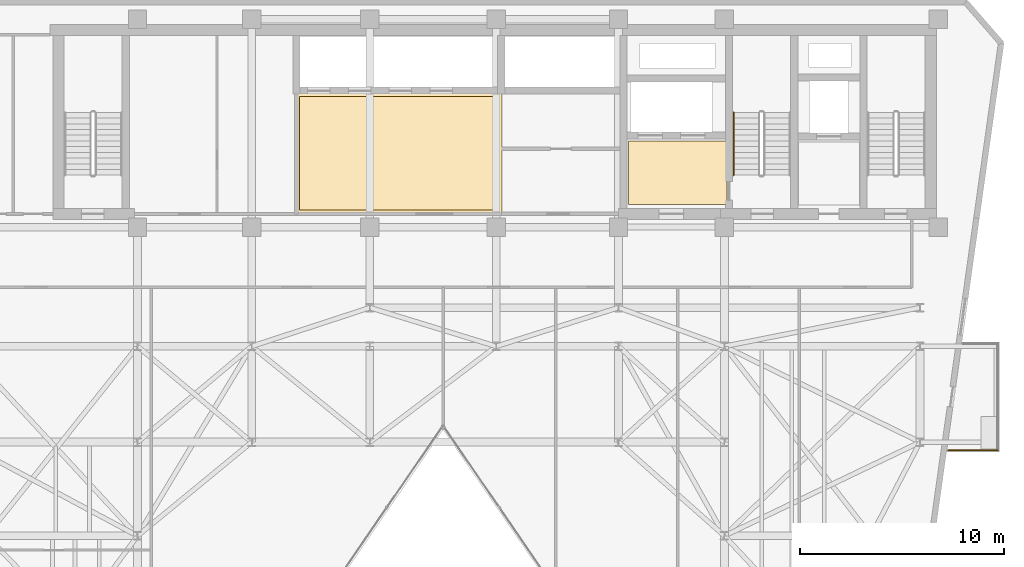
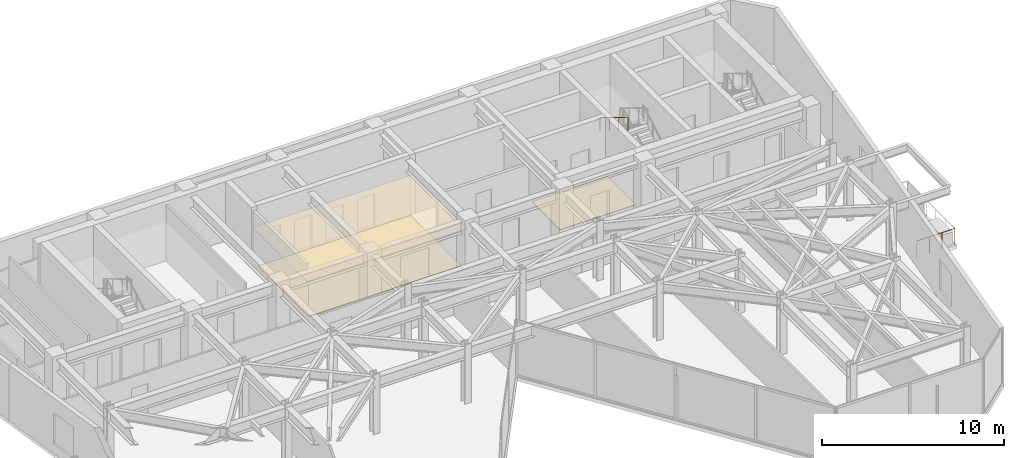
# One storey, part 20 of 21: 3 coverings, 2 railings.
"""IFC4 building model written with IfcOpenShell, lengths in metres."""

from ifc_helpers import new_model, si_unit, direction, frame, origin, origin_2d, place, context, subcontext, project, spatial, polyline, circle, outline, extrude, material, layer, layer_set, type_object, element, save


model = new_model("IFC4")

# Units and contexts
model_context = context("Model", 3, precision=1e-05, world=origin(), true_north=direction((0.0, 1.0)))
body_context = subcontext(model_context, "Body", "Model", "MODEL_VIEW")
ifc_project = project(units=[si_unit("LENGTHUNIT", "METRE"), si_unit("AREAUNIT", "SQUARE_METRE"), si_unit("VOLUMEUNIT", "CUBIC_METRE"), si_unit("PLANEANGLEUNIT", "RADIAN"), si_unit("MASSUNIT", "GRAM", prefix="KILO")], contexts=[model_context])

# Site, building, storey
site_placement = place(None, origin())
site = spatial("IfcSite", under=ifc_project, at=site_placement, CompositionType="ELEMENT")
building_placement = place(site_placement, origin())
building = spatial("IfcBuilding", under=site, at=building_placement, Name="Kravanh Interchange Tower", CompositionType="ELEMENT")
storey_placement = place(building_placement, frame((0.0, 0.0, 176.5)))
storey = spatial("IfcBuildingStorey", under=building, at=storey_placement, Name="L42", CompositionType="ELEMENT", Elevation=176.5)

# Coverings
ifc_material_1 = material(Name="Cementitious Terrazzo Tile")
ifc_layer_1 = layer(ifc_material_1, 0.030029296875)
ifc_layer_set_1 = layer_set([ifc_layer_1], Name="Honed Terrazzo Lobby Flooring 30mm")
covering_type_1 = type_object("IfcCoveringType", Name="Honed Terrazzo Lobby Flooring 30mm", PredefinedType="FLOORING", material=ifc_layer_set_1)
covering_1_placement = place(storey_placement, origin())
element("IfcCovering", 1, at=covering_1_placement, inside=storey, type_object=covering_type_1, Name="L42 Firefighting Lobby Floor Finish", PredefinedType="FLOORING", context=body_context, shape_type="SweptSolid", body=[
    extrude(outline(polyline([(56.1201171875, 38.4599609375), (51.300048828125, 38.4599609375), (51.300048828125, 41.580078125), (56.1201171875, 41.580078125), (56.1201171875, 38.4599609375)])), origin(), (0.0, 0.0, 1.0), 0.030029296875),
])
covering_2_placement = place(storey_placement, origin())
element("IfcCovering", 2, at=covering_2_placement, inside=storey, type_object=covering_type_1, Name="L42 Mid-Rise Lift Lobby Floor Finish", PredefinedType="FLOORING", context=body_context, shape_type="SweptSolid", body=[
    extrude(outline(polyline([(35.159912109375, 43.77001953125), (44.8701171875, 43.77001953125), (44.8701171875, 38.179931640625), (35.159912109375, 38.179931640625), (35.159912109375, 43.77001953125)])), origin(), (0.0, 0.0, 1.0), 0.030029296875),
])
ifc_material_2 = material(Name="Acoustic Mineral Fibre Tile on Aluminium Grid", Category="aluminium")
ifc_layer_2 = layer(ifc_material_2, 0.02490234375)
ifc_layer_set_2 = layer_set([ifc_layer_2], Name="Perforated Acoustic Mineral Ceiling 25mm")
covering_type_2 = type_object("IfcCoveringType", Name="Perforated Acoustic Mineral Ceiling 25mm", PredefinedType="CEILING", material=ifc_layer_set_2)
covering_3_placement = place(storey_placement, frame((0.0, 0.0, 2.550048828125)))
element("IfcCovering", 3, at=covering_3_placement, inside=storey, type_object=covering_type_2, Name="L42 Mid-Rise Lift Lobby Suspended Ceiling", PredefinedType="CEILING", context=body_context, shape_type="SweptSolid", body=[
    extrude(outline(polyline([(45.090087890625, 37.9599609375), (34.93994140625, 37.9599609375), (34.93994140625, 43.989990234375), (45.090087890625, 43.989990234375), (45.090087890625, 37.9599609375)])), origin(), (0.0, 0.0, 1.0), 0.02490234375),
])

# Railings
ifc_material_3 = material(Name="Stainless Steel 316", Category="steel")
ifc_layer_3 = layer(ifc_material_3, 0.06005859375)
ifc_layer_set_3 = layer_set([ifc_layer_3], Name="Perimeter Balcony and Terrace Guardrail Stainless 316 1120mm")
railing_type_1 = type_object("IfcRailingType", Name="Perimeter Balcony and Terrace Guardrail Stainless 316 1120mm", PredefinedType="GUARDRAIL", material=ifc_layer_set_3)
railing_1_placement = place(storey_placement, frame((69.409912109375, 26.389892578125, 0.0)))
element("IfcRailing", 4, at=railing_1_placement, inside=storey, type_object=railing_type_1, Name="L42 E Balcony Guardrail 2", PredefinedType="GUARDRAIL", context=body_context, shape_type="SweptSolid", body=[
    extrude(circle(Radius=0.02392578125, at=origin_2d()), frame((0.0, 0.0, 1.09619140625), z_axis=(-1.0, 0.0, 0.0), x_axis=(0.0, -1.0, 0.0)), (0.0, 0.0, 1.0), 2.42138671875),
    extrude(circle(Radius=0.02099609375, at=origin_2d()), origin(), (0.0, 0.0, 1.0), 1.072021484375),
    extrude(circle(Radius=0.02099609375, at=origin_2d()), frame((-0.80712890625, 0.0, 0.0)), (0.0, 0.0, 1.0), 1.072021484375),
    extrude(circle(Radius=0.02099609375, at=origin_2d()), frame((-1.6142578125, 0.0, 0.0)), (0.0, 0.0, 1.0), 1.072021484375),
    extrude(circle(Radius=0.02099609375, at=origin_2d()), frame((-2.42138671875, 0.0, 0.0)), (0.0, 0.0, 1.0), 1.072021484375),
])
ifc_material_4 = material(Name="Stainless Steel 304", Category="steel")
ifc_layer_4 = layer(ifc_material_4, 0.044921875)
ifc_layer_set_4 = layer_set([ifc_layer_4], Name="Tubular Stair Handrail Stainless 304 900mm")
railing_type_2 = type_object("IfcRailingType", Name="Tubular Stair Handrail Stainless 304 900mm", PredefinedType="HANDRAIL", material=ifc_layer_set_4)
railing_2_placement = place(storey_placement, frame((56.449951171875, 42.97998046875, 2.166748046875)))
element("IfcRailing", 5, at=railing_2_placement, inside=storey, type_object=railing_type_2, Name="L42 ST2 stair handrail 2", PredefinedType="HANDRAIL", context=body_context, shape_type="SweptSolid", body=[
    extrude(circle(Radius=0.02392578125, at=origin_2d()), frame((0.0, 0.0, 0.8759765625), z_axis=(0.0, -0.859308565015, 0.511457515432), x_axis=(1.0, 0.0, 0.0)), (0.0, 0.0, 1.0), 3.58447265625),
    extrude(circle(Radius=0.02099609375, at=origin_2d()), origin(), (0.0, 0.0, 1.0), 0.851806640625),
    extrude(circle(Radius=0.02099609375, at=origin_2d()), frame((0.0, -1.026611328125, 0.611083984375)), (0.0, 0.0, 1.0), 0.851806640625),
    extrude(circle(Radius=0.02099609375, at=origin_2d()), frame((0.0, -2.053466796875, 1.22216796875)), (0.0, 0.0, 1.0), 0.851806640625),
    extrude(circle(Radius=0.02099609375, at=origin_2d()), frame((0.0, -3.080078125, 1.833251953125)), (0.0, 0.0, 1.0), 0.851806640625),
])

save(model, "model.ifc")
